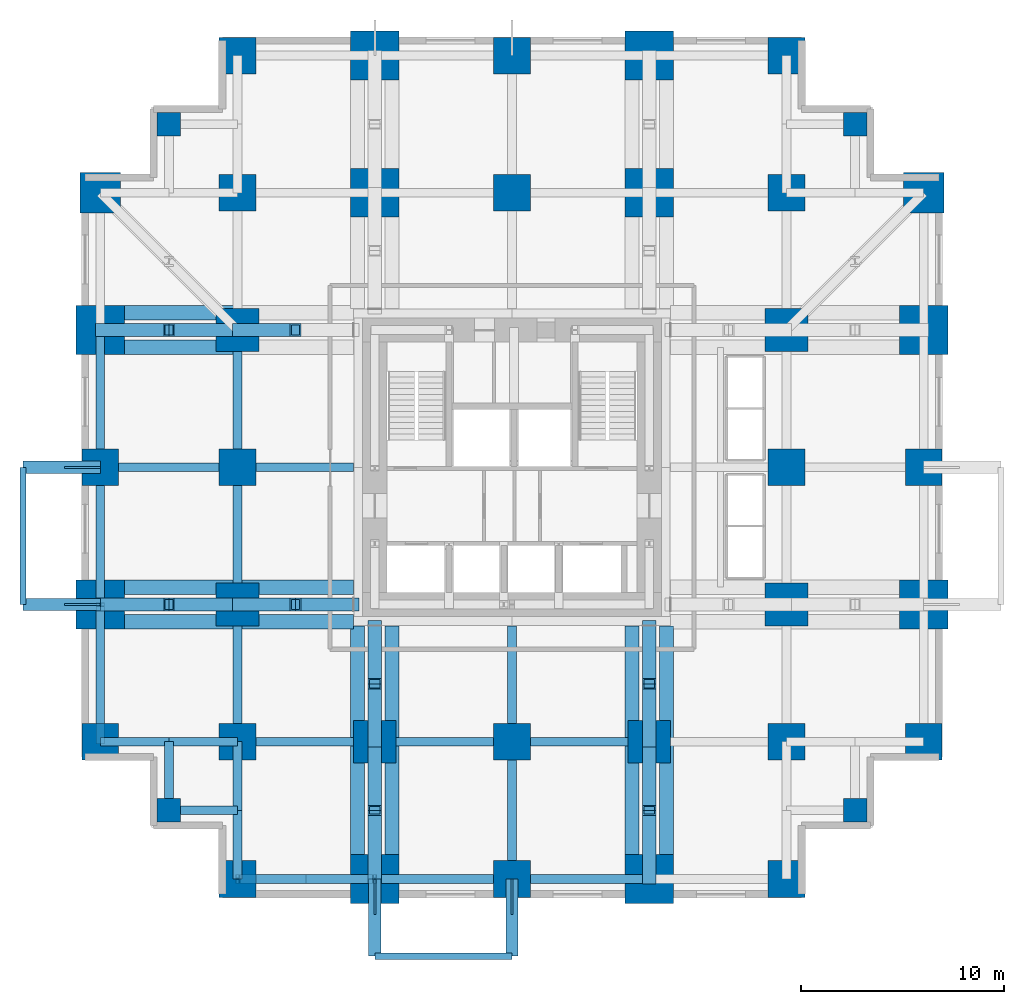
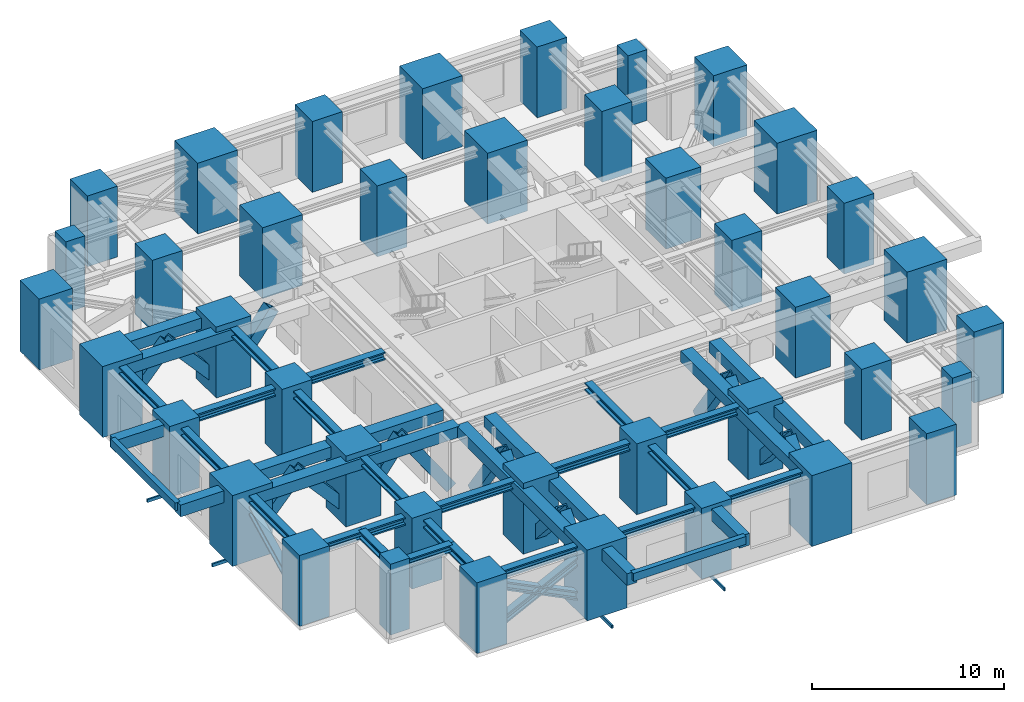
# One storey, part 1 of 6: 42 beams, 40 columns, 22 members.
"""IFC4 building model written with IfcOpenShell, lengths in metres."""

from ifc_helpers import new_model, si_unit, direction, frame, origin, origin_2d, place, context, subcontext, project, spatial, rectangle, hollow_rectangle, i_section, extrude, material, material_profile, profile_set, type_object, element, save


model = new_model("IFC4")

# Units and contexts
model_context = context("Model", 3, precision=1e-05, world=origin(), true_north=direction((0.0, 1.0)))
body_context = subcontext(model_context, "Body", "Model", "MODEL_VIEW")
ifc_project = project(units=[si_unit("LENGTHUNIT", "METRE"), si_unit("AREAUNIT", "SQUARE_METRE"), si_unit("VOLUMEUNIT", "CUBIC_METRE"), si_unit("PLANEANGLEUNIT", "RADIAN"), si_unit("MASSUNIT", "GRAM", prefix="KILO")], contexts=[model_context])

# Site, building, storey
site_placement = place(None, origin())
site = spatial("IfcSite", under=ifc_project, at=site_placement, CompositionType="ELEMENT")
building_placement = place(site_placement, origin())
building = spatial("IfcBuilding", under=site, at=building_placement, Name="Nyansa Garden Tower", CompositionType="ELEMENT")
storey_placement = place(building_placement, frame((0.0, 0.0, 75.60009765625)))
storey = spatial("IfcBuildingStorey", under=building, at=storey_placement, Name="L20", CompositionType="ELEMENT", Elevation=75.60009765625)

# Columns
ifc_material_1 = material(Name="Concrete C70/85", Category="concrete")
ifc_material_profile_1 = material_profile(ifc_material_1, rectangle(XDim=1.14990234375, YDim=1.14990234375, at=origin_2d()), Name="RC 1150x1150")
ifc_profile_set_1 = profile_set([ifc_material_profile_1], Name="Concrete C70/85")
column_type_1 = type_object("IfcColumnType", Name="Column C115 RC 1150x1150", PredefinedType="COLUMN", material=ifc_profile_set_1)
for number, where, z_axis, x_axis, name in (
    (1, (3.375, 3.375, 0.0), (0.0, 0.0, 1.0), (1.0, 0.0, 0.0), "Column x3.375/y3.375 L20"),
    (2, (3.375, 37.125, 0.0), (0.0, 0.0, 1.0), (1.0, 0.0, 0.0), "Column x3.375/y37.125 L20"),
    (3, (37.125, 3.375, 0.0), (0.0, 0.0, 1.0), (1.0, 0.0, 0.0), "Column x37.125/y3.375 L20"),
    (4, (37.125, 37.125, 0.0), (0.0, 0.0, 1.0), (1.0, 0.0, 0.0), "Column x37.125/y37.125 L20"),
):
    element("IfcColumn", number, at=place(storey_placement, frame(where, z_axis=z_axis, x_axis=x_axis)), inside=storey, type_object=column_type_1, Name=name, PredefinedType="COLUMN", context=body_context, shape_type="SweptSolid", body=[
        extrude(rectangle(XDim=1.14990234375, YDim=1.14990234375, at=origin_2d()), origin(), (0.0, 0.0, 1.0), 4.5),
    ])
ifc_material_2 = material(Name="Concrete C80/95", Category="concrete")
ifc_material_profile_2 = material_profile(ifc_material_2, rectangle(XDim=1.800048828125, YDim=1.800048828125, at=origin_2d()), Name="RC 1800x1800")
ifc_profile_set_2 = profile_set([ifc_material_profile_2], Name="Concrete C80/95")
column_type_2 = type_object("IfcColumnType", Name="Column C180 RC 1800x1800", PredefinedType="COLUMN", material=ifc_profile_set_2)
for number, where, z_axis, x_axis, name in (
    (5, (0.0, 6.75, 0.0), (0.0, 0.0, 1.0), (1.0, 0.0, 0.0), "Column 2/E L20"),
    (6, (0.0, 20.25, 0.0), (0.0, 0.0, 1.0), (1.0, 0.0, 0.0), "Column 2/G L20"),
    (7, (6.75, 0.0, 0.0), (0.0, 0.0, 1.0), (1.0, 0.0, 0.0), "Column 3/D L20"),
    (8, (6.75, 6.75, 0.0), (0.0, 0.0, 1.0), (1.0, 0.0, 0.0), "Column 3/E L20"),
    (9, (6.75, 20.25, 0.0), (0.0, 0.0, 1.0), (1.0, 0.0, 0.0), "Column 3/G L20"),
    (10, (6.75, 33.75, 0.0), (0.0, 0.0, 1.0), (1.0, 0.0, 0.0), "Column 3/J L20"),
    (11, (6.75, 40.5, 0.0), (0.0, 0.0, 1.0), (1.0, 0.0, 0.0), "Column 3/K L20"),
    (12, (20.25, 0.0, 0.0), (0.0, 0.0, 1.0), (1.0, 0.0, 0.0), "Column 5/D L20"),
    (13, (20.25, 6.75, 0.0), (0.0, 0.0, 1.0), (1.0, 0.0, 0.0), "Column 5/E L20"),
    (14, (20.25, 33.75, 0.0), (0.0, 0.0, 1.0), (1.0, 0.0, 0.0), "Column 5/J L20"),
    (15, (20.25, 40.5, 0.0), (0.0, 0.0, 1.0), (1.0, 0.0, 0.0), "Column 5/K L20"),
    (16, (33.75, 0.0, 0.0), (0.0, 0.0, 1.0), (1.0, 0.0, 0.0), "Column 7/D L20"),
    (17, (33.75, 6.75, 0.0), (0.0, 0.0, 1.0), (1.0, 0.0, 0.0), "Column 7/E L20"),
    (18, (33.75, 20.25, 0.0), (0.0, 0.0, 1.0), (1.0, 0.0, 0.0), "Column 7/G L20"),
    (19, (33.75, 33.75, 0.0), (0.0, 0.0, 1.0), (1.0, 0.0, 0.0), "Column 7/J L20"),
    (20, (33.75, 40.5, 0.0), (0.0, 0.0, 1.0), (1.0, 0.0, 0.0), "Column 7/K L20"),
    (21, (40.5, 6.75, 0.0), (0.0, 0.0, 1.0), (1.0, 0.0, 0.0), "Column 8/E L20"),
    (22, (40.5, 20.25, 0.0), (0.0, 0.0, 1.0), (1.0, 0.0, 0.0), "Column 8/G L20"),
):
    element("IfcColumn", number, at=place(storey_placement, frame(where, z_axis=z_axis, x_axis=x_axis)), inside=storey, type_object=column_type_2, Name=name, PredefinedType="COLUMN", context=body_context, shape_type="SweptSolid", body=[
        extrude(rectangle(XDim=1.800048828125, YDim=1.800048828125, at=origin_2d()), origin(), (0.0, 0.0, 1.0), 4.5),
    ])
ifc_material_3 = material(Name="Concrete C80/95", Category="concrete")
ifc_material_profile_3 = material_profile(ifc_material_3, rectangle(XDim=2.0, YDim=2.0, at=origin_2d()), Name="RC 2000x2000")
ifc_profile_set_3 = profile_set([ifc_material_profile_3], Name="Concrete C80/95")
column_type_3 = type_object("IfcColumnType", Name="Column C200 RC 2000x2000", PredefinedType="COLUMN", material=ifc_profile_set_3)
for number, where, z_axis, x_axis, name in (
    (23, (0.0, 33.75, 0.0), (0.0, 0.0, 1.0), (1.0, 0.0, 0.0), "Column 2/J L20"),
    (24, (40.5, 33.75, 0.0), (0.0, 0.0, 1.0), (1.0, 0.0, 0.0), "Column 8/J L20"),
):
    element("IfcColumn", number, at=place(storey_placement, frame(where, z_axis=z_axis, x_axis=x_axis)), inside=storey, type_object=column_type_3, Name=name, PredefinedType="COLUMN", context=body_context, shape_type="SweptSolid", body=[
        extrude(rectangle(XDim=2.0, YDim=2.0, at=origin_2d()), origin(), (0.0, 0.0, 1.0), 4.5),
    ])
ifc_material_4 = material(Name="Concrete C80/95", Category="concrete")
ifc_material_profile_4 = material_profile(ifc_material_4, rectangle(XDim=2.10009765625, YDim=2.10009765625, at=origin_2d()), Name="RC 2100x2100")
ifc_profile_set_4 = profile_set([ifc_material_profile_4], Name="Concrete C80/95")
column_type_4 = type_object("IfcColumnType", Name="Column C210 RC 2100x2100", PredefinedType="COLUMN", material=ifc_profile_set_4)
for number, where, z_axis, x_axis, name in (
    (25, (6.75, 13.5, 0.0), (0.0, 0.0, 1.0), (1.0, 0.0, 0.0), "Column 3/F L20"),
    (26, (6.75, 27.0, 0.0), (0.0, 0.0, 1.0), (1.0, 0.0, 0.0), "Column 3/H L20"),
    (27, (13.5, 6.75, 0.0), (0.0, 0.0, 1.0), (1.0, 0.0, 0.0), "Column 4/E L20"),
    (28, (27.0, 6.75, 0.0), (0.0, 0.0, 1.0), (1.0, 0.0, 0.0), "Column 6/E L20"),
    (29, (33.75, 13.5, 0.0), (0.0, 0.0, 1.0), (1.0, 0.0, 0.0), "Column 7/F L20"),
    (30, (33.75, 27.0, 0.0), (0.0, 0.0, 1.0), (1.0, 0.0, 0.0), "Column 7/H L20"),
):
    element("IfcColumn", number, at=place(storey_placement, frame(where, z_axis=z_axis, x_axis=x_axis)), inside=storey, type_object=column_type_4, Name=name, PredefinedType="COLUMN", context=body_context, shape_type="SweptSolid", body=[
        extrude(rectangle(XDim=2.10009765625, YDim=2.10009765625, at=origin_2d()), origin(), (0.0, 0.0, 1.0), 4.5),
    ])
ifc_material_5 = material(Name="Concrete C80/95", Category="concrete")
ifc_material_profile_5 = material_profile(ifc_material_5, rectangle(XDim=2.39990234375, YDim=2.39990234375, at=origin_2d()), Name="RC 2400x2400")
ifc_profile_set_5 = profile_set([ifc_material_profile_5], Name="Concrete C80/95")
column_type_5 = type_object("IfcColumnType", Name="Column C240 RC 2400x2400", PredefinedType="COLUMN", material=ifc_profile_set_5)
for number, where, z_axis, x_axis, name in (
    (31, (0.0, 13.5, 0.0), (0.0, 0.0, 1.0), (1.0, 0.0, 0.0), "Column 2/F L20"),
    (32, (0.0, 27.0, 0.0), (0.0, 0.0, 1.0), (1.0, 0.0, 0.0), "Column 2/H L20"),
    (33, (13.5, 0.0, 0.0), (0.0, 0.0, 1.0), (1.0, 0.0, 0.0), "Column 4/D L20"),
    (34, (13.5, 33.75, 0.0), (0.0, 0.0, 1.0), (1.0, 0.0, 0.0), "Column 4/J L20"),
    (35, (13.5, 40.5, 0.0), (0.0, 0.0, 1.0), (1.0, 0.0, 0.0), "Column 4/K L20"),
    (36, (27.0, 0.0, 0.0), (0.0, 0.0, 1.0), (1.0, 0.0, 0.0), "Column 6/D L20"),
    (37, (27.0, 33.75, 0.0), (0.0, 0.0, 1.0), (1.0, 0.0, 0.0), "Column 6/J L20"),
    (38, (27.0, 40.5, 0.0), (0.0, 0.0, 1.0), (1.0, 0.0, 0.0), "Column 6/K L20"),
    (39, (40.5, 13.5, 0.0), (0.0, 0.0, 1.0), (1.0, 0.0, 0.0), "Column 8/F L20"),
    (40, (40.5, 27.0, 0.0), (0.0, 0.0, 1.0), (1.0, 0.0, 0.0), "Column 8/H L20"),
):
    element("IfcColumn", number, at=place(storey_placement, frame(where, z_axis=z_axis, x_axis=x_axis)), inside=storey, type_object=column_type_5, Name=name, PredefinedType="COLUMN", context=body_context, shape_type="SweptSolid", body=[
        extrude(rectangle(XDim=2.39990234375, YDim=2.39990234375, at=origin_2d()), origin(), (0.0, 0.0, 1.0), 4.5),
    ])

# Beams
ifc_material_6 = material(Name="Concrete C70/85", Category="concrete")
ifc_material_profile_6 = material_profile(ifc_material_6, rectangle(XDim=0.60009765625, YDim=0.75, at=origin_2d()), Name="RC 600x750")
ifc_profile_set_6 = profile_set([ifc_material_profile_6], Name="Concrete C70/85")
beam_type_1 = type_object("IfcBeamType", Name="Balcony cantilever beam CB1 RC 600x750", PredefinedType="BEAM", material=ifc_profile_set_6)
for number, where, z_axis, x_axis, name in (
    (41, (13.5, 0.0, 3.885009765625), (0.0, -1.0, 0.0), (1.0, 0.0, 0.0), "Balcony cantilever beam L21"),
    (42, (20.25, 0.0, 3.885009765625), (0.0, -1.0, 0.0), (1.0, 0.0, 0.0), "Balcony cantilever beam L21"),
    (43, (0.0, 13.5, 3.885009765625), (-1.0, 0.0, 0.0), (0.0, -1.0, 0.0), "Balcony cantilever beam L21"),
    (44, (0.0, 20.25, 3.885009765625), (-1.0, 0.0, 0.0), (0.0, -1.0, 0.0), "Balcony cantilever beam L21"),
):
    element("IfcBeam", number, at=place(storey_placement, frame(where, z_axis=z_axis, x_axis=x_axis)), inside=storey, type_object=beam_type_1, Name=name, PredefinedType="BEAM", context=body_context, shape_type="SweptSolid", body=[
        extrude(rectangle(XDim=0.60009765625, YDim=0.75, at=origin_2d()), origin(), (0.0, 0.0, 1.0), 3.800048828125),
    ])
ifc_material_7 = material(Name="Concrete C70/85", Category="concrete")
ifc_material_profile_7 = material_profile(ifc_material_7, rectangle(XDim=0.300048828125, YDim=0.5, at=origin_2d()), Name="RC 300x500")
ifc_profile_set_7 = profile_set([ifc_material_profile_7], Name="Concrete C70/85")
beam_type_2 = type_object("IfcBeamType", Name="Balcony edge beam BE1 RC 300x500", PredefinedType="BEAM", material=ifc_profile_set_7)
for number, where, z_axis, x_axis, name in (
    (45, (13.5, -3.800048828125, 4.010009765625), (1.0, 0.0, 0.0), (0.0, 1.0, 0.0), "Balcony edge beam L21"),
    (46, (-3.800048828125, 13.5, 4.010009765625), (0.0, 1.0, 0.0), (-1.0, 0.0, 0.0), "Balcony edge beam L21"),
):
    element("IfcBeam", number, at=place(storey_placement, frame(where, z_axis=z_axis, x_axis=x_axis)), inside=storey, type_object=beam_type_2, Name=name, PredefinedType="BEAM", context=body_context, shape_type="SweptSolid", body=[
        extrude(rectangle(XDim=0.300048828125, YDim=0.5, at=origin_2d()), origin(), (0.0, 0.0, 1.0), 6.75),
    ])

# Members
ifc_material_8 = material(Name="Steel S355", Category="steel")
ifc_material_profile_8 = material_profile(ifc_material_8, i_section(OverallWidth=0.431884765625, OverallDepth=0.498046875, WebThickness=0.0556640625, FlangeThickness=0.0888671875, FilletRadius=0.014892578125, at=origin_2d()), Name="HD 400x744")
ifc_profile_set_8 = profile_set([ifc_material_profile_8], Name="Steel S355")
member_type_1 = type_object("IfcMemberType", Name="Belt truss diagonal HD 400x744", PredefinedType="BRACE", material=ifc_profile_set_8)
for number, where, z_axis, x_axis, name in (
    (47, (6.75, 0.0, 0.39990234375), (0.895745130073, 0.0, 0.444567949756), (0.0, 1.0, 0.0), "Belt truss diagonal S1a L20"),
    (48, (13.5, 0.0, 0.39990234375), (-0.895745130073, 0.0, 0.444567949756), (0.0, -1.0, 0.0), "Belt truss diagonal S1b L20"),
):
    element("IfcMember", number, at=place(storey_placement, frame(where, z_axis=z_axis, x_axis=x_axis)), inside=storey, type_object=member_type_1, Name=name, PredefinedType="BRACE", context=body_context, shape_type="SweptSolid", body=[
        extrude(i_section(OverallWidth=0.431884765625, OverallDepth=0.498046875, WebThickness=0.0556640625, FlangeThickness=0.0888671875, FilletRadius=0.014892578125, at=origin_2d()), origin(), (0.0, 0.0, 1.0), 7.53564453125),
    ])
ifc_material_9 = material(Name="Steel S355, black powder coated", Category="steel")
ifc_material_profile_9 = material_profile(ifc_material_9, hollow_rectangle(XDim=0.10009765625, YDim=0.199951171875, WallThickness=0.008056640625, at=origin_2d()), Name="RHS 200x100x8")
ifc_profile_set_9 = profile_set([ifc_material_profile_9], Name="Steel S355, black powder coated")
member_type_2 = type_object("IfcMemberType", Name="Outer skin bracket arm RHS 200x100x8", PredefinedType="USERDEFINED", material=ifc_profile_set_9)
for number, where, z_axis, x_axis, name in (
    (49, (0.0, 13.5, -0.4501953125), (-1.0, 0.0, 0.0), (0.0, -1.0, 0.0), "Outer skin bracket arm"),
    (50, (0.0, 20.25, -0.4501953125), (-1.0, 0.0, 0.0), (0.0, -1.0, 0.0), "Outer skin bracket arm"),
    (51, (13.5, 0.0, -0.4501953125), (0.0, -1.0, 0.0), (1.0, 0.0, 0.0), "Outer skin bracket arm"),
    (52, (20.25, 0.0, -0.4501953125), (0.0, -1.0, 0.0), (1.0, 0.0, 0.0), "Outer skin bracket arm"),
):
    element("IfcMember", number, at=place(storey_placement, frame(where, z_axis=z_axis, x_axis=x_axis)), inside=storey, type_object=member_type_2, Name=name, ObjectType="OUTER SKIN BRACKET", PredefinedType="USERDEFINED", context=body_context, shape_type="SweptSolid", body=[
        extrude(hollow_rectangle(XDim=0.10009765625, YDim=0.199951171875, WallThickness=0.008056640625, at=origin_2d()), origin(), (0.0, 0.0, 1.0), 1.75),
    ])

# Beams
ifc_material_10 = material(Name="Steel S355", Category="steel")
ifc_material_profile_10 = material_profile(ifc_material_10, hollow_rectangle(XDim=0.699951171875, YDim=0.699951171875, WallThickness=0.110107421875, at=origin_2d()), Name="Welded box 700x700x110")
ifc_profile_set_10 = profile_set([ifc_material_profile_10], Name="Steel S355")
beam_type_3 = type_object("IfcBeamType", Name="Outrigger chord OC2 welded box 700x700x110 S355", PredefinedType="BEAM", material=ifc_profile_set_10)
for number, where, z_axis, x_axis, name in (
    (53, (0.0, 14.35009765625, 3.7998046875), (1.0, 0.0, 0.0), (0.0, 1.0, 0.0), "Beam 2/F-3/F L21 a"),
    (54, (0.0, 12.64990234375, 3.7998046875), (1.0, 0.0, 0.0), (0.0, 1.0, 0.0), "Beam 2/F-3/F L21 b"),
    (55, (0.0, 27.85009765625, 3.7998046875), (1.0, 0.0, 0.0), (0.0, 1.0, 0.0), "Beam 2/H-3/H L21 a"),
    (56, (0.0, 26.14990234375, 3.7998046875), (1.0, 0.0, 0.0), (0.0, 1.0, 0.0), "Beam 2/H-3/H L21 b"),
):
    element("IfcBeam", number, at=place(storey_placement, frame(where, z_axis=z_axis, x_axis=x_axis)), inside=storey, type_object=beam_type_3, Name=name, PredefinedType="BEAM", context=body_context, shape_type="SweptSolid", body=[
        extrude(hollow_rectangle(XDim=0.699951171875, YDim=0.699951171875, WallThickness=0.110107421875, at=origin_2d()), origin(), (0.0, 0.0, 1.0), 6.75),
    ])
for number, where, z_axis, x_axis, name in (
    (57, (6.75, 14.35009765625, 3.7998046875), (1.0, 0.0, 0.0), (0.0, 1.0, 0.0), "Beam 3/F-12.450/F L21 a"),
    (58, (6.75, 12.64990234375, 3.7998046875), (1.0, 0.0, 0.0), (0.0, 1.0, 0.0), "Beam 3/F-12.450/F L21 b"),
):
    element("IfcBeam", number, at=place(storey_placement, frame(where, z_axis=z_axis, x_axis=x_axis)), inside=storey, type_object=beam_type_3, Name=name, PredefinedType="BEAM", context=body_context, shape_type="SweptSolid", body=[
        extrude(hollow_rectangle(XDim=0.699951171875, YDim=0.699951171875, WallThickness=0.110107421875, at=origin_2d()), origin(), (0.0, 0.0, 1.0), 5.699951171875),
    ])
for number, where, z_axis, x_axis, name in (
    (59, (12.64990234375, 0.0, 3.7998046875), (0.0, 1.0, 0.0), (-1.0, 0.0, 0.0), "Beam 4/D-4/E L21 a"),
    (60, (14.35009765625, 0.0, 3.7998046875), (0.0, 1.0, 0.0), (-1.0, 0.0, 0.0), "Beam 4/D-4/E L21 b"),
):
    element("IfcBeam", number, at=place(storey_placement, frame(where, z_axis=z_axis, x_axis=x_axis)), inside=storey, type_object=beam_type_3, Name=name, PredefinedType="BEAM", context=body_context, shape_type="SweptSolid", body=[
        extrude(hollow_rectangle(XDim=0.699951171875, YDim=0.699951171875, WallThickness=0.110107421875, at=origin_2d()), origin(), (0.0, 0.0, 1.0), 6.75),
    ])
for number, where, z_axis, x_axis, name in (
    (61, (12.64990234375, 6.75, 3.7998046875), (0.0, 1.0, 0.0), (-1.0, 0.0, 0.0), "Beam 4/E-4/12.450 L21 a"),
    (62, (14.35009765625, 6.75, 3.7998046875), (0.0, 1.0, 0.0), (-1.0, 0.0, 0.0), "Beam 4/E-4/12.450 L21 b"),
):
    element("IfcBeam", number, at=place(storey_placement, frame(where, z_axis=z_axis, x_axis=x_axis)), inside=storey, type_object=beam_type_3, Name=name, PredefinedType="BEAM", context=body_context, shape_type="SweptSolid", body=[
        extrude(hollow_rectangle(XDim=0.699951171875, YDim=0.699951171875, WallThickness=0.110107421875, at=origin_2d()), origin(), (0.0, 0.0, 1.0), 5.699951171875),
    ])
for number, where, z_axis, x_axis, name in (
    (63, (26.14990234375, 0.0, 3.7998046875), (0.0, 1.0, 0.0), (-1.0, 0.0, 0.0), "Beam 6/D-6/E L21 a"),
    (64, (27.85009765625, 0.0, 3.7998046875), (0.0, 1.0, 0.0), (-1.0, 0.0, 0.0), "Beam 6/D-6/E L21 b"),
):
    element("IfcBeam", number, at=place(storey_placement, frame(where, z_axis=z_axis, x_axis=x_axis)), inside=storey, type_object=beam_type_3, Name=name, PredefinedType="BEAM", context=body_context, shape_type="SweptSolid", body=[
        extrude(hollow_rectangle(XDim=0.699951171875, YDim=0.699951171875, WallThickness=0.110107421875, at=origin_2d()), origin(), (0.0, 0.0, 1.0), 6.75),
    ])
for number, where, z_axis, x_axis, name in (
    (65, (26.14990234375, 6.75, 3.7998046875), (0.0, 1.0, 0.0), (-1.0, 0.0, 0.0), "Beam 6/E-6/12.450 L21 a"),
    (66, (27.85009765625, 6.75, 3.7998046875), (0.0, 1.0, 0.0), (-1.0, 0.0, 0.0), "Beam 6/E-6/12.450 L21 b"),
):
    element("IfcBeam", number, at=place(storey_placement, frame(where, z_axis=z_axis, x_axis=x_axis)), inside=storey, type_object=beam_type_3, Name=name, PredefinedType="BEAM", context=body_context, shape_type="SweptSolid", body=[
        extrude(hollow_rectangle(XDim=0.699951171875, YDim=0.699951171875, WallThickness=0.110107421875, at=origin_2d()), origin(), (0.0, 0.0, 1.0), 5.699951171875),
    ])

# Members
ifc_material_11 = material(Name="Steel S355", Category="steel")
ifc_material_profile_11 = material_profile(ifc_material_11, hollow_rectangle(XDim=0.64990234375, YDim=0.64990234375, WallThickness=0.070068359375, at=origin_2d()), Name="Welded box 650x650x70")
ifc_profile_set_11 = profile_set([ifc_material_profile_11], Name="Steel S355")
member_type_3 = type_object("IfcMemberType", Name="Outrigger truss diagonal OT3 welded box 650x650x70 S355", PredefinedType="BRACE", material=ifc_profile_set_11)
for number, where, z_axis, x_axis, name in (
    (67, (13.5, 0.0, 0.0), (0.0, 0.664077549785, 0.747663699715), (-1.0, 0.0, 0.0), "Outrigger truss diagonal L20 1.1a"),
    (68, (13.5, 6.75, 0.0), (0.0, -0.664077549785, 0.747663699715), (1.0, 0.0, 0.0), "Outrigger truss diagonal L20 1.1b"),
):
    element("IfcMember", number, at=place(storey_placement, frame(where, z_axis=z_axis, x_axis=x_axis)), inside=storey, type_object=member_type_3, Name=name, PredefinedType="BRACE", context=body_context, shape_type="SweptSolid", body=[
        extrude(hollow_rectangle(XDim=0.64990234375, YDim=0.64990234375, WallThickness=0.070068359375, at=origin_2d()), origin(), (0.0, 0.0, 1.0), 5.082275390625),
    ])
member_1_placement = place(storey_placement, frame((13.5, 6.75, 0.0), z_axis=(0.0, 0.600032894906, 0.799975327764), x_axis=(-1.0, 0.0, 0.0)))
element("IfcMember", 69, at=member_1_placement, inside=storey, type_object=member_type_3, Name="Outrigger truss diagonal L20 1.2a", PredefinedType="BRACE", context=body_context, shape_type="SweptSolid", body=[
    extrude(hollow_rectangle(XDim=0.64990234375, YDim=0.64990234375, WallThickness=0.070068359375, at=origin_2d()), origin(), (0.0, 0.0, 1.0), 4.75),
])
member_2_placement = place(storey_placement, frame((13.5, 12.449951171875, -0.300048828125), z_axis=(0.0, -0.570765031225, 0.82111343865), x_axis=(1.0, 0.0, 0.0)))
element("IfcMember", 70, at=member_2_placement, inside=storey, type_object=member_type_3, Name="Outrigger truss diagonal L20 1.2b", PredefinedType="BRACE", context=body_context, shape_type="SweptSolid", body=[
    extrude(hollow_rectangle(XDim=0.64990234375, YDim=0.64990234375, WallThickness=0.070068359375, at=origin_2d()), origin(), (0.0, 0.0, 1.0), 4.992919921875),
])
for number, where, z_axis, x_axis, name in (
    (71, (27.0, 0.0, 0.0), (0.0, 0.664077549785, 0.747663699715), (-1.0, 0.0, 0.0), "Outrigger truss diagonal L20 2.1a"),
    (72, (27.0, 6.75, 0.0), (0.0, -0.664077549785, 0.747663699715), (1.0, 0.0, 0.0), "Outrigger truss diagonal L20 2.1b"),
):
    element("IfcMember", number, at=place(storey_placement, frame(where, z_axis=z_axis, x_axis=x_axis)), inside=storey, type_object=member_type_3, Name=name, PredefinedType="BRACE", context=body_context, shape_type="SweptSolid", body=[
        extrude(hollow_rectangle(XDim=0.64990234375, YDim=0.64990234375, WallThickness=0.070068359375, at=origin_2d()), origin(), (0.0, 0.0, 1.0), 5.082275390625),
    ])
member_3_placement = place(storey_placement, frame((27.0, 6.75, 0.0), z_axis=(0.0, 0.600032894906, 0.799975327764), x_axis=(-1.0, 0.0, 0.0)))
element("IfcMember", 73, at=member_3_placement, inside=storey, type_object=member_type_3, Name="Outrigger truss diagonal L20 2.2a", PredefinedType="BRACE", context=body_context, shape_type="SweptSolid", body=[
    extrude(hollow_rectangle(XDim=0.64990234375, YDim=0.64990234375, WallThickness=0.070068359375, at=origin_2d()), origin(), (0.0, 0.0, 1.0), 4.75),
])
member_4_placement = place(storey_placement, frame((27.0, 12.449951171875, -0.300048828125), z_axis=(0.0, -0.570765031225, 0.82111343865), x_axis=(1.0, 0.0, 0.0)))
element("IfcMember", 74, at=member_4_placement, inside=storey, type_object=member_type_3, Name="Outrigger truss diagonal L20 2.2b", PredefinedType="BRACE", context=body_context, shape_type="SweptSolid", body=[
    extrude(hollow_rectangle(XDim=0.64990234375, YDim=0.64990234375, WallThickness=0.070068359375, at=origin_2d()), origin(), (0.0, 0.0, 1.0), 4.992919921875),
])
for number, where, z_axis, x_axis, name in (
    (75, (0.0, 13.5, 0.0), (0.664077549785, 0.0, 0.747663699715), (0.0, 1.0, 0.0), "Outrigger truss diagonal L20 5.1a"),
    (76, (6.75, 13.5, 0.0), (-0.664077549785, 0.0, 0.747663699715), (0.0, -1.0, 0.0), "Outrigger truss diagonal L20 5.1b"),
):
    element("IfcMember", number, at=place(storey_placement, frame(where, z_axis=z_axis, x_axis=x_axis)), inside=storey, type_object=member_type_3, Name=name, PredefinedType="BRACE", context=body_context, shape_type="SweptSolid", body=[
        extrude(hollow_rectangle(XDim=0.64990234375, YDim=0.64990234375, WallThickness=0.070068359375, at=origin_2d()), origin(), (0.0, 0.0, 1.0), 5.082275390625),
    ])
member_5_placement = place(storey_placement, frame((6.75, 13.5, 0.0), z_axis=(0.600032894906, 0.0, 0.799975327764), x_axis=(0.0, 1.0, 0.0)))
element("IfcMember", 77, at=member_5_placement, inside=storey, type_object=member_type_3, Name="Outrigger truss diagonal L20 5.2a", PredefinedType="BRACE", context=body_context, shape_type="SweptSolid", body=[
    extrude(hollow_rectangle(XDim=0.64990234375, YDim=0.64990234375, WallThickness=0.070068359375, at=origin_2d()), origin(), (0.0, 0.0, 1.0), 4.75),
])
member_6_placement = place(storey_placement, frame((12.449951171875, 13.5, -0.300048828125), z_axis=(-0.570765031225, 0.0, 0.82111343865), x_axis=(0.0, -1.0, 0.0)))
element("IfcMember", 78, at=member_6_placement, inside=storey, type_object=member_type_3, Name="Outrigger truss diagonal L20 5.2b", PredefinedType="BRACE", context=body_context, shape_type="SweptSolid", body=[
    extrude(hollow_rectangle(XDim=0.64990234375, YDim=0.64990234375, WallThickness=0.070068359375, at=origin_2d()), origin(), (0.0, 0.0, 1.0), 4.992919921875),
])
for number, where, z_axis, x_axis, name in (
    (79, (0.0, 27.0, 0.0), (0.664077549785, 0.0, 0.747663699715), (0.0, 1.0, 0.0), "Outrigger truss diagonal L20 6.1a"),
    (80, (6.75, 27.0, 0.0), (-0.664077549785, 0.0, 0.747663699715), (0.0, -1.0, 0.0), "Outrigger truss diagonal L20 6.1b"),
):
    element("IfcMember", number, at=place(storey_placement, frame(where, z_axis=z_axis, x_axis=x_axis)), inside=storey, type_object=member_type_3, Name=name, PredefinedType="BRACE", context=body_context, shape_type="SweptSolid", body=[
        extrude(hollow_rectangle(XDim=0.64990234375, YDim=0.64990234375, WallThickness=0.070068359375, at=origin_2d()), origin(), (0.0, 0.0, 1.0), 5.082275390625),
    ])
member_7_placement = place(storey_placement, frame((6.75, 27.0, 0.0), z_axis=(0.600032894906, 0.0, 0.799975327764), x_axis=(0.0, 1.0, 0.0)))
element("IfcMember", 81, at=member_7_placement, inside=storey, type_object=member_type_3, Name="Outrigger truss diagonal L20 6.2a", PredefinedType="BRACE", context=body_context, shape_type="SweptSolid", body=[
    extrude(hollow_rectangle(XDim=0.64990234375, YDim=0.64990234375, WallThickness=0.070068359375, at=origin_2d()), origin(), (0.0, 0.0, 1.0), 4.75),
])
ifc_material_12 = material(Name="Steel S355", Category="steel")
ifc_material_profile_12 = material_profile(ifc_material_12, i_section(OverallWidth=0.424072265625, OverallDepth=0.47412109375, WebThickness=0.047607421875, FlangeThickness=0.076904296875, FilletRadius=0.014892578125, at=origin_2d()), Name="HD 400x634")
ifc_profile_set_12 = profile_set([ifc_material_profile_12], Name="Steel S355")
member_type_4 = type_object("IfcMemberType", Name="Perimeter brace HD 400x634", PredefinedType="BRACE", material=ifc_profile_set_12)
member_8_placement = place(storey_placement, frame((0.0, 6.75, 0.39990234375), z_axis=(0.0, 0.893105356343, 0.449847554703), x_axis=(-1.0, 0.0, 0.0)))
element("IfcMember", 82, at=member_8_placement, inside=storey, type_object=member_type_4, Name="Perimeter brace W1 L20", PredefinedType="BRACE", context=body_context, shape_type="SweptSolid", body=[
    extrude(i_section(OverallWidth=0.424072265625, OverallDepth=0.47412109375, WebThickness=0.047607421875, FlangeThickness=0.076904296875, FilletRadius=0.014892578125, at=origin_2d()), origin(), (0.0, 0.0, 1.0), 7.557861328125),
])

# Beams
ifc_material_13 = material(Name="Steel S355", Category="steel")
ifc_material_profile_13 = material_profile(ifc_material_13, i_section(OverallWidth=0.431884765625, OverallDepth=0.498046875, WebThickness=0.0556640625, FlangeThickness=0.0888671875, FilletRadius=0.014892578125, at=origin_2d()), Name="HD 400x744")
ifc_profile_set_13 = profile_set([ifc_material_profile_13], Name="Steel S355")
beam_type_4 = type_object("IfcBeamType", Name="Steel beam SBA2-744 HD 400x744", PredefinedType="BEAM", material=ifc_profile_set_13)
beam_1_placement = place(storey_placement, frame((0.0, 20.25, 3.90087890625), z_axis=(1.0, 0.0, 0.0), x_axis=(0.0, 1.0, 0.0)))
element("IfcBeam", 83, at=beam_1_placement, inside=storey, type_object=beam_type_4, Name="Steel beam 2/G-3/G L21", PredefinedType="BEAM", context=body_context, shape_type="SweptSolid", body=[
    extrude(i_section(OverallWidth=0.431884765625, OverallDepth=0.498046875, WebThickness=0.0556640625, FlangeThickness=0.0888671875, FilletRadius=0.014892578125, at=origin_2d()), origin(), (0.0, 0.0, 1.0), 6.75),
])
for number, where, z_axis, x_axis, name in (
    (84, (3.375, 6.75, 3.90087890625), (1.0, 0.0, 0.0), (0.0, 1.0, 0.0), "Steel beam 3.375/E-3/E L21"),
    (85, (6.75, 3.375, 3.90087890625), (0.0, 1.0, 0.0), (-1.0, 0.0, 0.0), "Steel beam 3/3.375-3/E L21"),
):
    element("IfcBeam", number, at=place(storey_placement, frame(where, z_axis=z_axis, x_axis=x_axis)), inside=storey, type_object=beam_type_4, Name=name, PredefinedType="BEAM", context=body_context, shape_type="SweptSolid", body=[
        extrude(i_section(OverallWidth=0.431884765625, OverallDepth=0.498046875, WebThickness=0.0556640625, FlangeThickness=0.0888671875, FilletRadius=0.014892578125, at=origin_2d()), origin(), (0.0, 0.0, 1.0), 3.375),
    ])
for number, where, z_axis, x_axis, name in (
    (86, (6.75, 6.75, 3.90087890625), (0.0, 1.0, 0.0), (-1.0, 0.0, 0.0), "Steel beam 3/E-3/F L21"),
    (87, (6.75, 6.75, 3.90087890625), (1.0, 0.0, 0.0), (0.0, 1.0, 0.0), "Steel beam 3/E-4/E L21"),
    (88, (6.75, 13.5, 3.90087890625), (0.0, 1.0, 0.0), (-1.0, 0.0, 0.0), "Steel beam 3/F-3/G L21"),
    (89, (6.75, 20.25, 3.90087890625), (0.0, 1.0, 0.0), (-1.0, 0.0, 0.0), "Steel beam 3/G-3/H L21"),
):
    element("IfcBeam", number, at=place(storey_placement, frame(where, z_axis=z_axis, x_axis=x_axis)), inside=storey, type_object=beam_type_4, Name=name, PredefinedType="BEAM", context=body_context, shape_type="SweptSolid", body=[
        extrude(i_section(OverallWidth=0.431884765625, OverallDepth=0.498046875, WebThickness=0.0556640625, FlangeThickness=0.0888671875, FilletRadius=0.014892578125, at=origin_2d()), origin(), (0.0, 0.0, 1.0), 6.75),
    ])
beam_2_placement = place(storey_placement, frame((6.75, 20.25, 3.90087890625), z_axis=(1.0, 0.0, 0.0), x_axis=(0.0, 1.0, 0.0)))
element("IfcBeam", 90, at=beam_2_placement, inside=storey, type_object=beam_type_4, Name="Steel beam 3/G-12.450/G L21", PredefinedType="BEAM", context=body_context, shape_type="SweptSolid", body=[
    extrude(i_section(OverallWidth=0.431884765625, OverallDepth=0.498046875, WebThickness=0.0556640625, FlangeThickness=0.0888671875, FilletRadius=0.014892578125, at=origin_2d()), origin(), (0.0, 0.0, 1.0), 5.699951171875),
])
for number, where, z_axis, x_axis, name in (
    (91, (13.5, 6.75, 3.90087890625), (1.0, 0.0, 0.0), (0.0, 1.0, 0.0), "Steel beam 4/E-5/E L21"),
    (92, (20.25, 0.0, 3.90087890625), (0.0, 1.0, 0.0), (-1.0, 0.0, 0.0), "Steel beam 5/D-5/E L21"),
):
    element("IfcBeam", number, at=place(storey_placement, frame(where, z_axis=z_axis, x_axis=x_axis)), inside=storey, type_object=beam_type_4, Name=name, PredefinedType="BEAM", context=body_context, shape_type="SweptSolid", body=[
        extrude(i_section(OverallWidth=0.431884765625, OverallDepth=0.498046875, WebThickness=0.0556640625, FlangeThickness=0.0888671875, FilletRadius=0.014892578125, at=origin_2d()), origin(), (0.0, 0.0, 1.0), 6.75),
    ])
beam_3_placement = place(storey_placement, frame((20.25, 6.75, 3.90087890625), z_axis=(0.0, 1.0, 0.0), x_axis=(-1.0, 0.0, 0.0)))
element("IfcBeam", 93, at=beam_3_placement, inside=storey, type_object=beam_type_4, Name="Steel beam 5/E-5/12.450 L21", PredefinedType="BEAM", context=body_context, shape_type="SweptSolid", body=[
    extrude(i_section(OverallWidth=0.431884765625, OverallDepth=0.498046875, WebThickness=0.0556640625, FlangeThickness=0.0888671875, FilletRadius=0.014892578125, at=origin_2d()), origin(), (0.0, 0.0, 1.0), 5.699951171875),
])
beam_4_placement = place(storey_placement, frame((20.25, 6.75, 3.90087890625), z_axis=(1.0, 0.0, 0.0), x_axis=(0.0, 1.0, 0.0)))
element("IfcBeam", 94, at=beam_4_placement, inside=storey, type_object=beam_type_4, Name="Steel beam 5/E-6/E L21", PredefinedType="BEAM", context=body_context, shape_type="SweptSolid", body=[
    extrude(i_section(OverallWidth=0.431884765625, OverallDepth=0.498046875, WebThickness=0.0556640625, FlangeThickness=0.0888671875, FilletRadius=0.014892578125, at=origin_2d()), origin(), (0.0, 0.0, 1.0), 6.75),
])
ifc_material_14 = material(Name="Steel S355", Category="steel")
ifc_material_profile_14 = material_profile(ifc_material_14, i_section(OverallWidth=0.431884765625, OverallDepth=0.498046875, WebThickness=0.0556640625, FlangeThickness=0.0888671875, FilletRadius=0.014892578125, at=origin_2d()), Name="HD 400x744")
ifc_profile_set_14 = profile_set([ifc_material_profile_14], Name="Steel S355")
beam_type_5 = type_object("IfcBeamType", Name="Steel beam SEBA-744 HD 400x744", PredefinedType="BEAM", material=ifc_profile_set_14)
for number, where, z_axis, x_axis, name in (
    (95, (0.0, 6.75, 3.90087890625), (0.0, 1.0, 0.0), (-1.0, 0.0, 0.0), "Steel edge beam 2/E-2/F L21"),
    (96, (0.0, 13.5, 3.90087890625), (0.0, 1.0, 0.0), (-1.0, 0.0, 0.0), "Steel edge beam 2/F-2/G L21"),
    (97, (0.0, 20.25, 3.90087890625), (0.0, 1.0, 0.0), (-1.0, 0.0, 0.0), "Steel edge beam 2/G-2/H L21"),
    (98, (6.75, 0.0, 3.90087890625), (1.0, 0.0, 0.0), (0.0, 1.0, 0.0), "Steel edge beam 3/D-4/D L21"),
    (99, (13.5, 0.0, 3.90087890625), (1.0, 0.0, 0.0), (0.0, 1.0, 0.0), "Steel edge beam 4/D-5/D L21"),
    (100, (20.25, 0.0, 3.90087890625), (1.0, 0.0, 0.0), (0.0, 1.0, 0.0), "Steel edge beam 5/D-6/D L21"),
):
    element("IfcBeam", number, at=place(storey_placement, frame(where, z_axis=z_axis, x_axis=x_axis)), inside=storey, type_object=beam_type_5, Name=name, PredefinedType="BEAM", context=body_context, shape_type="SweptSolid", body=[
        extrude(i_section(OverallWidth=0.431884765625, OverallDepth=0.498046875, WebThickness=0.0556640625, FlangeThickness=0.0888671875, FilletRadius=0.014892578125, at=origin_2d()), origin(), (0.0, 0.0, 1.0), 6.75),
    ])
ifc_material_15 = material(Name="Steel S355", Category="steel")
ifc_material_profile_15 = material_profile(ifc_material_15, i_section(OverallWidth=0.431884765625, OverallDepth=0.498046875, WebThickness=0.0556640625, FlangeThickness=0.0888671875, FilletRadius=0.014892578125, at=origin_2d()), Name="HD 400x744")
ifc_profile_set_15 = profile_set([ifc_material_profile_15], Name="Steel S355")
beam_type_6 = type_object("IfcBeamType", Name="Steel beam SEBA2-744 HD 400x744", PredefinedType="BEAM", material=ifc_profile_set_15)
for number, where, z_axis, x_axis, name in (
    (101, (0.0, 6.75, 3.90087890625), (1.0, 0.0, 0.0), (0.0, 1.0, 0.0), "Steel edge beam 2/E-3.375/E L21"),
    (102, (6.75, 0.0, 3.90087890625), (0.0, 1.0, 0.0), (-1.0, 0.0, 0.0), "Steel edge beam 3/D-3/3.375 L21"),
):
    element("IfcBeam", number, at=place(storey_placement, frame(where, z_axis=z_axis, x_axis=x_axis)), inside=storey, type_object=beam_type_6, Name=name, PredefinedType="BEAM", context=body_context, shape_type="SweptSolid", body=[
        extrude(i_section(OverallWidth=0.431884765625, OverallDepth=0.498046875, WebThickness=0.0556640625, FlangeThickness=0.0888671875, FilletRadius=0.014892578125, at=origin_2d()), origin(), (0.0, 0.0, 1.0), 3.375),
    ])
ifc_material_16 = material(Name="Steel S355", Category="steel")
ifc_material_profile_16 = material_profile(ifc_material_16, i_section(OverallWidth=0.431884765625, OverallDepth=0.498046875, WebThickness=0.0556640625, FlangeThickness=0.0888671875, FilletRadius=0.014892578125, at=origin_2d()), Name="HD 400x744")
ifc_profile_set_16 = profile_set([ifc_material_profile_16], Name="Steel S355")
beam_type_7 = type_object("IfcBeamType", Name="Steel beam SSB1-744 HD 400x744", PredefinedType="BEAM", material=ifc_profile_set_16)
for number, where, z_axis, x_axis, name in (
    (103, (3.375, 3.375, 3.90087890625), (0.0, 1.0, 0.0), (-1.0, 0.0, 0.0), "Steel step beam 3.375/3.375 L21"),
    (104, (3.375, 3.375, 3.90087890625), (1.0, 0.0, 0.0), (0.0, 1.0, 0.0), "Steel step beam 3.375/3.375 L21"),
):
    element("IfcBeam", number, at=place(storey_placement, frame(where, z_axis=z_axis, x_axis=x_axis)), inside=storey, type_object=beam_type_7, Name=name, PredefinedType="BEAM", context=body_context, shape_type="SweptSolid", body=[
        extrude(i_section(OverallWidth=0.431884765625, OverallDepth=0.498046875, WebThickness=0.0556640625, FlangeThickness=0.0888671875, FilletRadius=0.014892578125, at=origin_2d()), origin(), (0.0, 0.0, 1.0), 3.375),
    ])

save(model, "model.ifc")
